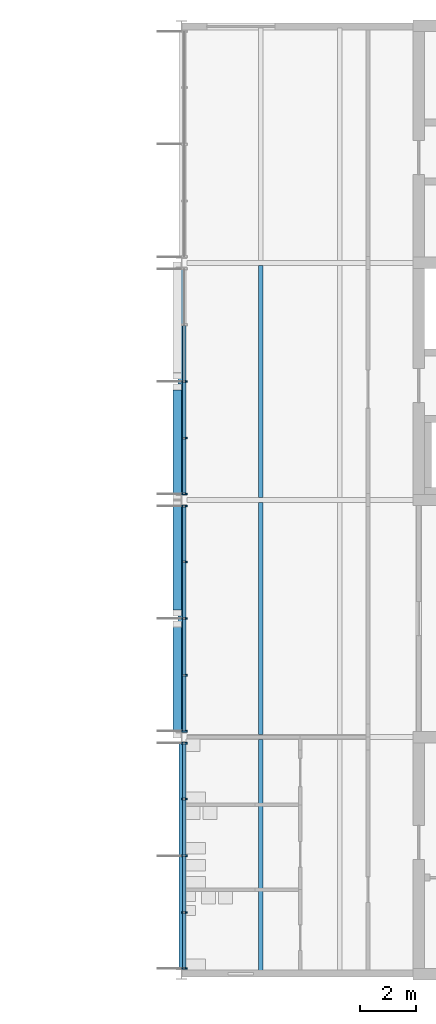
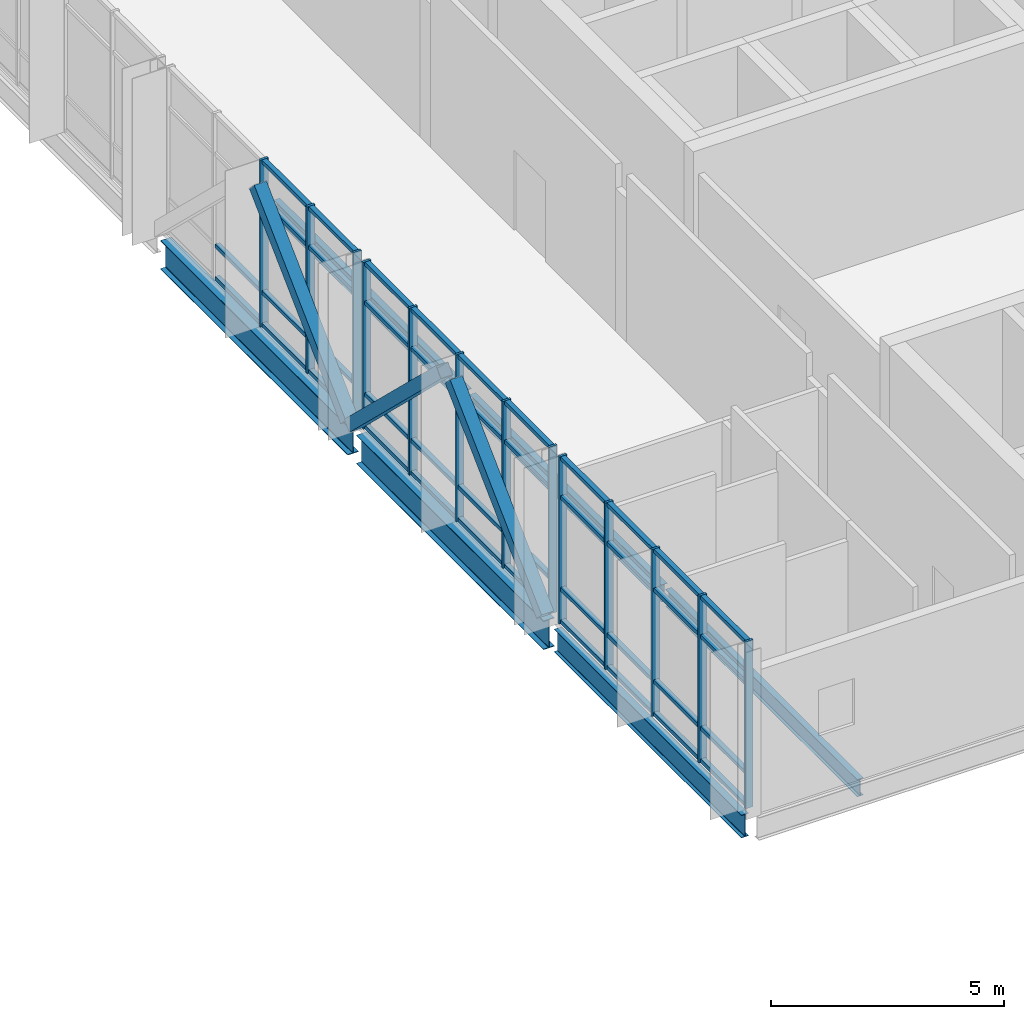
# One storey, part 3 of 14: 58 members, 6 beams, 3 elements without a shape of their own.
"""IFC4 building model written with IfcOpenShell, lengths in metres."""

from ifc_helpers import new_model, si_unit, direction, frame, origin, origin_2d, place, context, subcontext, project, spatial, rectangle, hollow_rectangle, i_section, extrude, material, material_profile, profile_set, type_object, element, aggregate, save


model = new_model("IFC4")

# Units and contexts
model_context = context("Model", 3, precision=1e-05, world=origin(), true_north=direction((0.0, 1.0)))
body_context = subcontext(model_context, "Body", "Model", "MODEL_VIEW")
ifc_project = project(units=[si_unit("LENGTHUNIT", "METRE"), si_unit("AREAUNIT", "SQUARE_METRE"), si_unit("VOLUMEUNIT", "CUBIC_METRE"), si_unit("PLANEANGLEUNIT", "RADIAN"), si_unit("MASSUNIT", "GRAM", prefix="KILO")], contexts=[model_context])

# Site, building, storey
site_placement = place(None, origin())
site = spatial("IfcSite", under=ifc_project, at=site_placement, CompositionType="ELEMENT")
building_placement = place(site_placement, origin())
building = spatial("IfcBuilding", under=site, at=building_placement, Name="Hlaing Beacon Police Headquarters", CompositionType="ELEMENT")
storey_placement = place(building_placement, frame((0.0, 0.0, 27.89990234375)))
storey = spatial("IfcBuildingStorey", under=building, at=storey_placement, Name="L06", CompositionType="ELEMENT", Elevation=27.89990234375)

# Members
ifc_material_1 = material(Name="Steel ASTM A500 Grade C", Category="steel")
ifc_material_profile_1 = material_profile(ifc_material_1, hollow_rectangle(XDim=0.3046875, YDim=0.3046875, WallThickness=0.009521484375, at=origin_2d()), Name="HSS12x12x3/8")
ifc_profile_set_1 = profile_set([ifc_material_profile_1], Name="Steel ASTM A500 Grade C")
member_type_1 = type_object("IfcMemberType", Name="Chevron brace HSS12x12x3/8", PredefinedType="BRACE", material=ifc_profile_set_1)
for number, where, z_axis, x_axis, name in (
    (1, (100.6435546875, 42.077880859375, 0.110107421875), (0.0, 0.720208206654, 0.693757983067), (-1.0, 0.0, 0.0), "STR-BR-L06-N6a"),
    (2, (100.6435546875, 50.322021484375, 0.110107421875), (0.0, -0.720208206654, 0.693757983067), (1.0, 0.0, 0.0), "STR-BR-L06-N6b"),
):
    element("IfcMember", number, at=place(storey_placement, frame(where, z_axis=z_axis, x_axis=x_axis)), inside=storey, type_object=member_type_1, Name=name, PredefinedType="BRACE", context=body_context, shape_type="SweptSolid", body=[
        extrude(hollow_rectangle(XDim=0.3046875, YDim=0.3046875, WallThickness=0.009521484375, at=origin_2d()), origin(), (0.0, 0.0, 1.0), 5.44580078125),
    ])
member_1_placement = place(storey_placement, frame((100.6435546875, 50.47802734375, 0.110107421875), z_axis=(0.0, 0.720186628496, 0.693780383216), x_axis=(-1.0, 0.0, 0.0)))
element("IfcMember", 3, at=member_1_placement, inside=storey, type_object=member_type_1, Name="STR-BR-L06-N7a", PredefinedType="BRACE", context=body_context, shape_type="SweptSolid", body=[
    extrude(hollow_rectangle(XDim=0.3046875, YDim=0.3046875, WallThickness=0.009521484375, at=origin_2d()), origin(), (0.0, 0.0, 1.0), 5.445556640625),
])

# Beams
ifc_material_2 = material(Name="Steel ASTM A992 Grade 50", Category="steel")
ifc_material_profile_2 = material_profile(ifc_material_2, i_section(OverallWidth=0.177978515625, OverallDepth=0.599365234375, WebThickness=0.010009765625, FlangeThickness=0.012939453125, FilletRadius=0.012939453125, at=origin_2d()), Name="W24x55")
ifc_profile_set_2 = profile_set([ifc_material_profile_2], Name="Steel ASTM A992 Grade 50")
beam_type_1 = type_object("IfcBeamType", Name="Girder W24x55", PredefinedType="BEAM", material=ifc_profile_set_2)
beam_1_placement = place(storey_placement, frame((100.800048828125, 33.781982421875, -0.4296875), z_axis=(0.0, 1.0, 0.0), x_axis=(-1.0, 0.0, 0.0)))
element("IfcBeam", 4, at=beam_1_placement, inside=storey, type_object=beam_type_1, Name="STR-BM-L06-GY-N5-N6", PredefinedType="BEAM", context=body_context, shape_type="SweptSolid", body=[
    extrude(i_section(OverallWidth=0.177978515625, OverallDepth=0.599365234375, WebThickness=0.010009765625, FlangeThickness=0.012939453125, FilletRadius=0.012939453125, at=origin_2d()), origin(), (0.0, 0.0, 1.0), 8.031005859375),
])
ifc_material_3 = material(Name="Steel ASTM A992 Grade 50", Category="steel")
ifc_material_profile_3 = material_profile(ifc_material_3, i_section(OverallWidth=0.2666015625, OverallDepth=0.75439453125, WebThickness=0.01318359375, FlangeThickness=0.01708984375, FilletRadius=0.0166015625, at=origin_2d()), Name="W30x99")
ifc_profile_set_3 = profile_set([ifc_material_profile_3], Name="Steel ASTM A992 Grade 50")
beam_type_2 = type_object("IfcBeamType", Name="Girder W30x99", PredefinedType="BEAM", material=ifc_profile_set_3)
beam_2_placement = place(storey_placement, frame((100.800048828125, 42.18701171875, -0.507080078125), z_axis=(0.0, 1.0, 0.0), x_axis=(-1.0, 0.0, 0.0)))
element("IfcBeam", 5, at=beam_2_placement, inside=storey, type_object=beam_type_2, Name="STR-BM-L06-GY-N6-N7", PredefinedType="BEAM", context=body_context, shape_type="SweptSolid", body=[
    extrude(i_section(OverallWidth=0.2666015625, OverallDepth=0.75439453125, WebThickness=0.01318359375, FlangeThickness=0.01708984375, FilletRadius=0.0166015625, at=origin_2d()), origin(), (0.0, 0.0, 1.0), 8.02587890625),
])
beam_3_placement = place(storey_placement, frame((100.800048828125, 50.5869140625, -0.507080078125), z_axis=(0.0, 1.0, 0.0), x_axis=(-1.0, 0.0, 0.0)))
element("IfcBeam", 6, at=beam_3_placement, inside=storey, type_object=beam_type_2, Name="STR-BM-L06-GY-N7-N8", PredefinedType="BEAM", context=body_context, shape_type="SweptSolid", body=[
    extrude(i_section(OverallWidth=0.2666015625, OverallDepth=0.75439453125, WebThickness=0.01318359375, FlangeThickness=0.01708984375, FilletRadius=0.0166015625, at=origin_2d()), origin(), (0.0, 0.0, 1.0), 8.026123046875),
])

# Curtain wall, members
ifc_material_4 = material(Name="Aluminium frame with solar control glazing", Category="aluminium")
curtain_wall_type = type_object("IfcCurtainWallType", Name="Unitised curtain wall 8.04 x 4.37", PredefinedType="NOTDEFINED", material=ifc_material_4)
curtain_wall_1_placement = place(storey_placement, origin())
curtain_wall_1 = element("IfcCurtainWall", 7, at=curtain_wall_1_placement, inside=storey, type_object=curtain_wall_type, Name="ENV-CW-L06-W006", PredefinedType="NOTDEFINED")
ifc_material_5 = material(Name="Aluminium", Category="aluminium")
ifc_material_profile_4 = material_profile(ifc_material_5, rectangle(XDim=0.199951171875, YDim=0.06005859375, at=origin_2d()), Name="Mullion 60x200")
ifc_profile_set_4 = profile_set([ifc_material_profile_4], Name="Aluminium")
member_type_2 = type_object("IfcMemberType", Name="Mullion 60x200", PredefinedType="MULLION", material=ifc_profile_set_4)
member_2_placement = place(storey_placement, frame((100.89990234375, 54.60009765625, 0.0), z_axis=(0.0, 0.0, 1.0), x_axis=(1.0, 0.0, 0.0)))
member_2 = element("IfcMember", 8, at=member_2_placement, type_object=member_type_2, Name="CW-L06-W006 mullion 3", PredefinedType="MULLION", context=body_context, shape_type="SweptSolid", body=[
    extrude(rectangle(XDim=0.199951171875, YDim=0.06005859375, at=origin_2d()), origin(), (0.0, 0.0, 1.0), 4.3701171875),
])
member_3_placement = place(storey_placement, frame((100.89990234375, 52.5908203125, 0.0), z_axis=(0.0, 0.0, 1.0), x_axis=(1.0, 0.0, 0.0)))
member_3 = element("IfcMember", 9, at=member_3_placement, type_object=member_type_2, Name="CW-L06-W006 mullion 4", PredefinedType="MULLION", context=body_context, shape_type="SweptSolid", body=[
    extrude(rectangle(XDim=0.199951171875, YDim=0.06005859375, at=origin_2d()), origin(), (0.0, 0.0, 1.0), 4.3701171875),
])
member_4_placement = place(storey_placement, frame((100.89990234375, 50.611572265625, 0.0), z_axis=(0.0, 0.0, 1.0), x_axis=(1.0, 0.0, 0.0)))
member_4 = element("IfcMember", 10, at=member_4_placement, type_object=member_type_2, Name="CW-L06-W006 mullion 5", PredefinedType="MULLION", context=body_context, shape_type="SweptSolid", body=[
    extrude(rectangle(XDim=0.199951171875, YDim=0.06005859375, at=origin_2d()), origin(), (0.0, 0.0, 1.0), 4.3701171875),
])

curtain_wall_2_placement = place(storey_placement, origin())
curtain_wall_2 = element("IfcCurtainWall", 11, at=curtain_wall_2_placement, inside=storey, type_object=curtain_wall_type, Name="ENV-CW-L06-W007", PredefinedType="NOTDEFINED")
member_5_placement = place(storey_placement, frame((100.89990234375, 50.1884765625, 0.0), z_axis=(0.0, 0.0, 1.0), x_axis=(1.0, 0.0, 0.0)))
member_5 = element("IfcMember", 12, at=member_5_placement, type_object=member_type_2, Name="CW-L06-W007 mullion 1", PredefinedType="MULLION", context=body_context, shape_type="SweptSolid", body=[
    extrude(rectangle(XDim=0.199951171875, YDim=0.06005859375, at=origin_2d()), origin(), (0.0, 0.0, 1.0), 4.3701171875),
])
member_6_placement = place(storey_placement, frame((100.89990234375, 48.209228515625, 0.0), z_axis=(0.0, 0.0, 1.0), x_axis=(1.0, 0.0, 0.0)))
member_6 = element("IfcMember", 13, at=member_6_placement, type_object=member_type_2, Name="CW-L06-W007 mullion 2", PredefinedType="MULLION", context=body_context, shape_type="SweptSolid", body=[
    extrude(rectangle(XDim=0.199951171875, YDim=0.06005859375, at=origin_2d()), origin(), (0.0, 0.0, 1.0), 4.3701171875),
])
member_7_placement = place(storey_placement, frame((100.89990234375, 46.199951171875, 0.0), z_axis=(0.0, 0.0, 1.0), x_axis=(1.0, 0.0, 0.0)))
member_7 = element("IfcMember", 14, at=member_7_placement, type_object=member_type_2, Name="CW-L06-W007 mullion 3", PredefinedType="MULLION", context=body_context, shape_type="SweptSolid", body=[
    extrude(rectangle(XDim=0.199951171875, YDim=0.06005859375, at=origin_2d()), origin(), (0.0, 0.0, 1.0), 4.3701171875),
])
member_8_placement = place(storey_placement, frame((100.89990234375, 44.19091796875, 0.0), z_axis=(0.0, 0.0, 1.0), x_axis=(1.0, 0.0, 0.0)))
member_8 = element("IfcMember", 15, at=member_8_placement, type_object=member_type_2, Name="CW-L06-W007 mullion 4", PredefinedType="MULLION", context=body_context, shape_type="SweptSolid", body=[
    extrude(rectangle(XDim=0.199951171875, YDim=0.06005859375, at=origin_2d()), origin(), (0.0, 0.0, 1.0), 4.3701171875),
])
member_9_placement = place(storey_placement, frame((100.89990234375, 42.211669921875, 0.0), z_axis=(0.0, 0.0, 1.0), x_axis=(1.0, 0.0, 0.0)))
member_9 = element("IfcMember", 16, at=member_9_placement, type_object=member_type_2, Name="CW-L06-W007 mullion 5", PredefinedType="MULLION", context=body_context, shape_type="SweptSolid", body=[
    extrude(rectangle(XDim=0.199951171875, YDim=0.06005859375, at=origin_2d()), origin(), (0.0, 0.0, 1.0), 4.3701171875),
])

curtain_wall_3_placement = place(storey_placement, origin())
curtain_wall_3 = element("IfcCurtainWall", 17, at=curtain_wall_3_placement, inside=storey, type_object=curtain_wall_type, Name="ENV-CW-L06-W008", PredefinedType="NOTDEFINED")
member_10_placement = place(storey_placement, frame((100.89990234375, 41.788330078125, 0.0), z_axis=(0.0, 0.0, 1.0), x_axis=(1.0, 0.0, 0.0)))
member_10 = element("IfcMember", 18, at=member_10_placement, type_object=member_type_2, Name="CW-L06-W008 mullion 1", PredefinedType="MULLION", context=body_context, shape_type="SweptSolid", body=[
    extrude(rectangle(XDim=0.199951171875, YDim=0.06005859375, at=origin_2d()), origin(), (0.0, 0.0, 1.0), 4.3701171875),
])
member_11_placement = place(storey_placement, frame((100.89990234375, 39.808349609375, 0.0), z_axis=(0.0, 0.0, 1.0), x_axis=(1.0, 0.0, 0.0)))
member_11 = element("IfcMember", 19, at=member_11_placement, type_object=member_type_2, Name="CW-L06-W008 mullion 2", PredefinedType="MULLION", context=body_context, shape_type="SweptSolid", body=[
    extrude(rectangle(XDim=0.199951171875, YDim=0.06005859375, at=origin_2d()), origin(), (0.0, 0.0, 1.0), 4.3701171875),
])
member_12_placement = place(storey_placement, frame((100.89990234375, 37.798095703125, 0.0), z_axis=(0.0, 0.0, 1.0), x_axis=(1.0, 0.0, 0.0)))
member_12 = element("IfcMember", 20, at=member_12_placement, type_object=member_type_2, Name="CW-L06-W008 mullion 3", PredefinedType="MULLION", context=body_context, shape_type="SweptSolid", body=[
    extrude(rectangle(XDim=0.199951171875, YDim=0.06005859375, at=origin_2d()), origin(), (0.0, 0.0, 1.0), 4.3701171875),
])
member_13_placement = place(storey_placement, frame((100.89990234375, 35.787841796875, 0.0), z_axis=(0.0, 0.0, 1.0), x_axis=(1.0, 0.0, 0.0)))
member_13 = element("IfcMember", 21, at=member_13_placement, type_object=member_type_2, Name="CW-L06-W008 mullion 4", PredefinedType="MULLION", context=body_context, shape_type="SweptSolid", body=[
    extrude(rectangle(XDim=0.199951171875, YDim=0.06005859375, at=origin_2d()), origin(), (0.0, 0.0, 1.0), 4.3701171875),
])
member_14_placement = place(storey_placement, frame((100.89990234375, 33.807861328125, 0.0), z_axis=(0.0, 0.0, 1.0), x_axis=(1.0, 0.0, 0.0)))
member_14 = element("IfcMember", 22, at=member_14_placement, type_object=member_type_2, Name="CW-L06-W008 mullion 5", PredefinedType="MULLION", context=body_context, shape_type="SweptSolid", body=[
    extrude(rectangle(XDim=0.199951171875, YDim=0.06005859375, at=origin_2d()), origin(), (0.0, 0.0, 1.0), 4.3701171875),
])

# Beams
ifc_material_6 = material(Name="Steel ASTM A992 Grade 50", Category="steel")
ifc_material_profile_5 = material_profile(ifc_material_6, i_section(OverallWidth=0.15234375, OverallDepth=0.449462890625, WebThickness=0.007568359375, FlangeThickness=0.0107421875, FilletRadius=0.01025390625, at=origin_2d()), Name="W18x35")
ifc_profile_set_5 = profile_set([ifc_material_profile_5], Name="Steel ASTM A992 Grade 50")
beam_type_3 = type_object("IfcBeamType", Name="Secondary beam W18x35", PredefinedType="BEAM", material=ifc_profile_set_5)
for number, where, z_axis, x_axis, name in (
    (23, (103.60009765625, 33.68896484375, -0.354736328125), (0.0, 1.0, 0.0), (-1.0, 0.0, 0.0), "STR-BM-L06-SB-N5-y1"),
    (24, (103.60009765625, 42.089111328125, -0.354736328125), (0.0, 1.0, 0.0), (-1.0, 0.0, 0.0), "STR-BM-L06-SB-N6-y1"),
    (25, (103.60009765625, 50.489013671875, -0.354736328125), (0.0, 1.0, 0.0), (-1.0, 0.0, 0.0), "STR-BM-L06-SB-N7-y1"),
):
    element("IfcBeam", number, at=place(storey_placement, frame(where, z_axis=z_axis, x_axis=x_axis)), inside=storey, type_object=beam_type_3, Name=name, PredefinedType="BEAM", context=body_context, shape_type="SweptSolid", body=[
        extrude(i_section(OverallWidth=0.15234375, OverallDepth=0.449462890625, WebThickness=0.007568359375, FlangeThickness=0.0107421875, FilletRadius=0.01025390625, at=origin_2d()), origin(), (0.0, 0.0, 1.0), 8.221923828125),
    ])

# Member
ifc_material_7 = material(Name="Aluminium", Category="aluminium")
ifc_material_profile_6 = material_profile(ifc_material_7, rectangle(XDim=0.1201171875, YDim=0.10009765625, at=origin_2d()), Name="Transom 120x100")
ifc_profile_set_6 = profile_set([ifc_material_profile_6], Name="Aluminium")
member_type_3 = type_object("IfcMemberType", Name="Transom 120x100", PredefinedType="USERDEFINED", material=ifc_profile_set_6)
member_15_placement = place(storey_placement, frame((100.89990234375, 56.5791015625, 0.050048828125), z_axis=(0.0, -1.0, 0.0), x_axis=(1.0, 0.0, 0.0)))
member_15 = element("IfcMember", 26, at=member_15_placement, type_object=member_type_3, Name="CW-L06-W006 transom 2.1", ObjectType="TRANSOM", PredefinedType="USERDEFINED", context=body_context, shape_type="SweptSolid", body=[
    extrude(rectangle(XDim=0.1201171875, YDim=0.10009765625, at=origin_2d()), origin(), (0.0, 0.0, 1.0), 1.94921875),
])

member_16_placement = place(storey_placement, frame((100.89990234375, 56.5791015625, 0.900146484375), z_axis=(0.0, -1.0, 0.0), x_axis=(1.0, 0.0, 0.0)))
member_16 = element("IfcMember", 27, at=member_16_placement, type_object=member_type_3, Name="CW-L06-W006 transom 2.2", ObjectType="TRANSOM", PredefinedType="USERDEFINED", context=body_context, shape_type="SweptSolid", body=[
    extrude(rectangle(XDim=0.1201171875, YDim=0.10009765625, at=origin_2d()), origin(), (0.0, 0.0, 1.0), 1.94921875),
])

member_17_placement = place(storey_placement, frame((100.89990234375, 54.570068359375, 0.050048828125), z_axis=(0.0, -1.0, 0.0), x_axis=(1.0, 0.0, 0.0)))
member_17 = element("IfcMember", 28, at=member_17_placement, type_object=member_type_3, Name="CW-L06-W006 transom 3.1", ObjectType="TRANSOM", PredefinedType="USERDEFINED", context=body_context, shape_type="SweptSolid", body=[
    extrude(rectangle(XDim=0.1201171875, YDim=0.10009765625, at=origin_2d()), origin(), (0.0, 0.0, 1.0), 1.94921875),
])

member_18_placement = place(storey_placement, frame((100.89990234375, 54.570068359375, 0.900146484375), z_axis=(0.0, -1.0, 0.0), x_axis=(1.0, 0.0, 0.0)))
member_18 = element("IfcMember", 29, at=member_18_placement, type_object=member_type_3, Name="CW-L06-W006 transom 3.2", ObjectType="TRANSOM", PredefinedType="USERDEFINED", context=body_context, shape_type="SweptSolid", body=[
    extrude(rectangle(XDim=0.1201171875, YDim=0.10009765625, at=origin_2d()), origin(), (0.0, 0.0, 1.0), 1.94921875),
])

member_19_placement = place(storey_placement, frame((100.89990234375, 54.570068359375, 3.300048828125), z_axis=(0.0, -1.0, 0.0), x_axis=(1.0, 0.0, 0.0)))
member_19 = element("IfcMember", 30, at=member_19_placement, type_object=member_type_3, Name="CW-L06-W006 transom 3.3", ObjectType="TRANSOM", PredefinedType="USERDEFINED", context=body_context, shape_type="SweptSolid", body=[
    extrude(rectangle(XDim=0.1201171875, YDim=0.10009765625, at=origin_2d()), origin(), (0.0, 0.0, 1.0), 1.94921875),
])

member_20_placement = place(storey_placement, frame((100.89990234375, 54.570068359375, 4.320068359375), z_axis=(0.0, -1.0, 0.0), x_axis=(1.0, 0.0, 0.0)))
member_20 = element("IfcMember", 31, at=member_20_placement, type_object=member_type_3, Name="CW-L06-W006 transom 3.4", ObjectType="TRANSOM", PredefinedType="USERDEFINED", context=body_context, shape_type="SweptSolid", body=[
    extrude(rectangle(XDim=0.1201171875, YDim=0.10009765625, at=origin_2d()), origin(), (0.0, 0.0, 1.0), 1.94921875),
])

member_21_placement = place(storey_placement, frame((100.89990234375, 52.560791015625, 0.050048828125), z_axis=(0.0, -1.0, 0.0), x_axis=(1.0, 0.0, 0.0)))
member_21 = element("IfcMember", 32, at=member_21_placement, type_object=member_type_3, Name="CW-L06-W006 transom 4.1", ObjectType="TRANSOM", PredefinedType="USERDEFINED", context=body_context, shape_type="SweptSolid", body=[
    extrude(rectangle(XDim=0.1201171875, YDim=0.10009765625, at=origin_2d()), origin(), (0.0, 0.0, 1.0), 1.919189453125),
])

member_22_placement = place(storey_placement, frame((100.89990234375, 52.560791015625, 0.900146484375), z_axis=(0.0, -1.0, 0.0), x_axis=(1.0, 0.0, 0.0)))
member_22 = element("IfcMember", 33, at=member_22_placement, type_object=member_type_3, Name="CW-L06-W006 transom 4.2", ObjectType="TRANSOM", PredefinedType="USERDEFINED", context=body_context, shape_type="SweptSolid", body=[
    extrude(rectangle(XDim=0.1201171875, YDim=0.10009765625, at=origin_2d()), origin(), (0.0, 0.0, 1.0), 1.919189453125),
])

member_23_placement = place(storey_placement, frame((100.89990234375, 52.560791015625, 3.300048828125), z_axis=(0.0, -1.0, 0.0), x_axis=(1.0, 0.0, 0.0)))
member_23 = element("IfcMember", 34, at=member_23_placement, type_object=member_type_3, Name="CW-L06-W006 transom 4.3", ObjectType="TRANSOM", PredefinedType="USERDEFINED", context=body_context, shape_type="SweptSolid", body=[
    extrude(rectangle(XDim=0.1201171875, YDim=0.10009765625, at=origin_2d()), origin(), (0.0, 0.0, 1.0), 1.919189453125),
])

member_24_placement = place(storey_placement, frame((100.89990234375, 52.560791015625, 4.320068359375), z_axis=(0.0, -1.0, 0.0), x_axis=(1.0, 0.0, 0.0)))
member_24 = element("IfcMember", 35, at=member_24_placement, type_object=member_type_3, Name="CW-L06-W006 transom 4.4", ObjectType="TRANSOM", PredefinedType="USERDEFINED", context=body_context, shape_type="SweptSolid", body=[
    extrude(rectangle(XDim=0.1201171875, YDim=0.10009765625, at=origin_2d()), origin(), (0.0, 0.0, 1.0), 1.919189453125),
])

aggregate(curtain_wall_1, [member_2, member_3, member_4, member_15, member_16, member_17, member_18, member_19, member_20, member_21, member_22, member_23, member_24])

member_25_placement = place(storey_placement, frame((100.89990234375, 50.158447265625, 0.050048828125), z_axis=(0.0, -1.0, 0.0), x_axis=(1.0, 0.0, 0.0)))
member_25 = element("IfcMember", 36, at=member_25_placement, type_object=member_type_3, Name="CW-L06-W007 transom 1.1", ObjectType="TRANSOM", PredefinedType="USERDEFINED", context=body_context, shape_type="SweptSolid", body=[
    extrude(rectangle(XDim=0.1201171875, YDim=0.10009765625, at=origin_2d()), origin(), (0.0, 0.0, 1.0), 1.919189453125),
])

member_26_placement = place(storey_placement, frame((100.89990234375, 50.158447265625, 0.900146484375), z_axis=(0.0, -1.0, 0.0), x_axis=(1.0, 0.0, 0.0)))
member_26 = element("IfcMember", 37, at=member_26_placement, type_object=member_type_3, Name="CW-L06-W007 transom 1.2", ObjectType="TRANSOM", PredefinedType="USERDEFINED", context=body_context, shape_type="SweptSolid", body=[
    extrude(rectangle(XDim=0.1201171875, YDim=0.10009765625, at=origin_2d()), origin(), (0.0, 0.0, 1.0), 1.919189453125),
])

member_27_placement = place(storey_placement, frame((100.89990234375, 50.158447265625, 3.300048828125), z_axis=(0.0, -1.0, 0.0), x_axis=(1.0, 0.0, 0.0)))
member_27 = element("IfcMember", 38, at=member_27_placement, type_object=member_type_3, Name="CW-L06-W007 transom 1.3", ObjectType="TRANSOM", PredefinedType="USERDEFINED", context=body_context, shape_type="SweptSolid", body=[
    extrude(rectangle(XDim=0.1201171875, YDim=0.10009765625, at=origin_2d()), origin(), (0.0, 0.0, 1.0), 1.919189453125),
])

member_28_placement = place(storey_placement, frame((100.89990234375, 50.158447265625, 4.320068359375), z_axis=(0.0, -1.0, 0.0), x_axis=(1.0, 0.0, 0.0)))
member_28 = element("IfcMember", 39, at=member_28_placement, type_object=member_type_3, Name="CW-L06-W007 transom 1.4", ObjectType="TRANSOM", PredefinedType="USERDEFINED", context=body_context, shape_type="SweptSolid", body=[
    extrude(rectangle(XDim=0.1201171875, YDim=0.10009765625, at=origin_2d()), origin(), (0.0, 0.0, 1.0), 1.919189453125),
])

member_29_placement = place(storey_placement, frame((100.89990234375, 48.17919921875, 0.050048828125), z_axis=(0.0, -1.0, 0.0), x_axis=(1.0, 0.0, 0.0)))
member_29 = element("IfcMember", 40, at=member_29_placement, type_object=member_type_3, Name="CW-L06-W007 transom 2.1", ObjectType="TRANSOM", PredefinedType="USERDEFINED", context=body_context, shape_type="SweptSolid", body=[
    extrude(rectangle(XDim=0.1201171875, YDim=0.10009765625, at=origin_2d()), origin(), (0.0, 0.0, 1.0), 1.94921875),
])

member_30_placement = place(storey_placement, frame((100.89990234375, 48.17919921875, 0.900146484375), z_axis=(0.0, -1.0, 0.0), x_axis=(1.0, 0.0, 0.0)))
member_30 = element("IfcMember", 41, at=member_30_placement, type_object=member_type_3, Name="CW-L06-W007 transom 2.2", ObjectType="TRANSOM", PredefinedType="USERDEFINED", context=body_context, shape_type="SweptSolid", body=[
    extrude(rectangle(XDim=0.1201171875, YDim=0.10009765625, at=origin_2d()), origin(), (0.0, 0.0, 1.0), 1.94921875),
])

member_31_placement = place(storey_placement, frame((100.89990234375, 48.17919921875, 3.300048828125), z_axis=(0.0, -1.0, 0.0), x_axis=(1.0, 0.0, 0.0)))
member_31 = element("IfcMember", 42, at=member_31_placement, type_object=member_type_3, Name="CW-L06-W007 transom 2.3", ObjectType="TRANSOM", PredefinedType="USERDEFINED", context=body_context, shape_type="SweptSolid", body=[
    extrude(rectangle(XDim=0.1201171875, YDim=0.10009765625, at=origin_2d()), origin(), (0.0, 0.0, 1.0), 1.94921875),
])

member_32_placement = place(storey_placement, frame((100.89990234375, 48.17919921875, 4.320068359375), z_axis=(0.0, -1.0, 0.0), x_axis=(1.0, 0.0, 0.0)))
member_32 = element("IfcMember", 43, at=member_32_placement, type_object=member_type_3, Name="CW-L06-W007 transom 2.4", ObjectType="TRANSOM", PredefinedType="USERDEFINED", context=body_context, shape_type="SweptSolid", body=[
    extrude(rectangle(XDim=0.1201171875, YDim=0.10009765625, at=origin_2d()), origin(), (0.0, 0.0, 1.0), 1.94921875),
])

member_33_placement = place(storey_placement, frame((100.89990234375, 46.169921875, 0.050048828125), z_axis=(0.0, -1.0, 0.0), x_axis=(1.0, 0.0, 0.0)))
member_33 = element("IfcMember", 44, at=member_33_placement, type_object=member_type_3, Name="CW-L06-W007 transom 3.1", ObjectType="TRANSOM", PredefinedType="USERDEFINED", context=body_context, shape_type="SweptSolid", body=[
    extrude(rectangle(XDim=0.1201171875, YDim=0.10009765625, at=origin_2d()), origin(), (0.0, 0.0, 1.0), 1.94921875),
])

member_34_placement = place(storey_placement, frame((100.89990234375, 46.169921875, 0.900146484375), z_axis=(0.0, -1.0, 0.0), x_axis=(1.0, 0.0, 0.0)))
member_34 = element("IfcMember", 45, at=member_34_placement, type_object=member_type_3, Name="CW-L06-W007 transom 3.2", ObjectType="TRANSOM", PredefinedType="USERDEFINED", context=body_context, shape_type="SweptSolid", body=[
    extrude(rectangle(XDim=0.1201171875, YDim=0.10009765625, at=origin_2d()), origin(), (0.0, 0.0, 1.0), 1.94921875),
])

member_35_placement = place(storey_placement, frame((100.89990234375, 46.169921875, 3.300048828125), z_axis=(0.0, -1.0, 0.0), x_axis=(1.0, 0.0, 0.0)))
member_35 = element("IfcMember", 46, at=member_35_placement, type_object=member_type_3, Name="CW-L06-W007 transom 3.3", ObjectType="TRANSOM", PredefinedType="USERDEFINED", context=body_context, shape_type="SweptSolid", body=[
    extrude(rectangle(XDim=0.1201171875, YDim=0.10009765625, at=origin_2d()), origin(), (0.0, 0.0, 1.0), 1.94921875),
])

member_36_placement = place(storey_placement, frame((100.89990234375, 46.169921875, 4.320068359375), z_axis=(0.0, -1.0, 0.0), x_axis=(1.0, 0.0, 0.0)))
member_36 = element("IfcMember", 47, at=member_36_placement, type_object=member_type_3, Name="CW-L06-W007 transom 3.4", ObjectType="TRANSOM", PredefinedType="USERDEFINED", context=body_context, shape_type="SweptSolid", body=[
    extrude(rectangle(XDim=0.1201171875, YDim=0.10009765625, at=origin_2d()), origin(), (0.0, 0.0, 1.0), 1.94921875),
])

member_37_placement = place(storey_placement, frame((100.89990234375, 44.160888671875, 0.050048828125), z_axis=(0.0, -1.0, 0.0), x_axis=(1.0, 0.0, 0.0)))
member_37 = element("IfcMember", 48, at=member_37_placement, type_object=member_type_3, Name="CW-L06-W007 transom 4.1", ObjectType="TRANSOM", PredefinedType="USERDEFINED", context=body_context, shape_type="SweptSolid", body=[
    extrude(rectangle(XDim=0.1201171875, YDim=0.10009765625, at=origin_2d()), origin(), (0.0, 0.0, 1.0), 1.919189453125),
])

member_38_placement = place(storey_placement, frame((100.89990234375, 44.160888671875, 0.900146484375), z_axis=(0.0, -1.0, 0.0), x_axis=(1.0, 0.0, 0.0)))
member_38 = element("IfcMember", 49, at=member_38_placement, type_object=member_type_3, Name="CW-L06-W007 transom 4.2", ObjectType="TRANSOM", PredefinedType="USERDEFINED", context=body_context, shape_type="SweptSolid", body=[
    extrude(rectangle(XDim=0.1201171875, YDim=0.10009765625, at=origin_2d()), origin(), (0.0, 0.0, 1.0), 1.919189453125),
])

member_39_placement = place(storey_placement, frame((100.89990234375, 44.160888671875, 3.300048828125), z_axis=(0.0, -1.0, 0.0), x_axis=(1.0, 0.0, 0.0)))
member_39 = element("IfcMember", 50, at=member_39_placement, type_object=member_type_3, Name="CW-L06-W007 transom 4.3", ObjectType="TRANSOM", PredefinedType="USERDEFINED", context=body_context, shape_type="SweptSolid", body=[
    extrude(rectangle(XDim=0.1201171875, YDim=0.10009765625, at=origin_2d()), origin(), (0.0, 0.0, 1.0), 1.919189453125),
])

member_40_placement = place(storey_placement, frame((100.89990234375, 44.160888671875, 4.320068359375), z_axis=(0.0, -1.0, 0.0), x_axis=(1.0, 0.0, 0.0)))
member_40 = element("IfcMember", 51, at=member_40_placement, type_object=member_type_3, Name="CW-L06-W007 transom 4.4", ObjectType="TRANSOM", PredefinedType="USERDEFINED", context=body_context, shape_type="SweptSolid", body=[
    extrude(rectangle(XDim=0.1201171875, YDim=0.10009765625, at=origin_2d()), origin(), (0.0, 0.0, 1.0), 1.919189453125),
])

aggregate(curtain_wall_2, [member_5, member_6, member_7, member_8, member_9, member_25, member_26, member_27, member_28, member_29, member_30, member_31, member_32, member_33, member_34, member_35, member_36, member_37, member_38, member_39, member_40])

member_41_placement = place(storey_placement, frame((100.89990234375, 41.75830078125, 0.050048828125), z_axis=(0.0, -1.0, 0.0), x_axis=(1.0, 0.0, 0.0)))
member_41 = element("IfcMember", 52, at=member_41_placement, type_object=member_type_3, Name="CW-L06-W008 transom 1.1", ObjectType="TRANSOM", PredefinedType="USERDEFINED", context=body_context, shape_type="SweptSolid", body=[
    extrude(rectangle(XDim=0.1201171875, YDim=0.10009765625, at=origin_2d()), origin(), (0.0, 0.0, 1.0), 1.920166015625),
])

member_42_placement = place(storey_placement, frame((100.89990234375, 41.75830078125, 0.900146484375), z_axis=(0.0, -1.0, 0.0), x_axis=(1.0, 0.0, 0.0)))
member_42 = element("IfcMember", 53, at=member_42_placement, type_object=member_type_3, Name="CW-L06-W008 transom 1.2", ObjectType="TRANSOM", PredefinedType="USERDEFINED", context=body_context, shape_type="SweptSolid", body=[
    extrude(rectangle(XDim=0.1201171875, YDim=0.10009765625, at=origin_2d()), origin(), (0.0, 0.0, 1.0), 1.920166015625),
])

member_43_placement = place(storey_placement, frame((100.89990234375, 41.75830078125, 3.300048828125), z_axis=(0.0, -1.0, 0.0), x_axis=(1.0, 0.0, 0.0)))
member_43 = element("IfcMember", 54, at=member_43_placement, type_object=member_type_3, Name="CW-L06-W008 transom 1.3", ObjectType="TRANSOM", PredefinedType="USERDEFINED", context=body_context, shape_type="SweptSolid", body=[
    extrude(rectangle(XDim=0.1201171875, YDim=0.10009765625, at=origin_2d()), origin(), (0.0, 0.0, 1.0), 1.920166015625),
])

member_44_placement = place(storey_placement, frame((100.89990234375, 41.75830078125, 4.320068359375), z_axis=(0.0, -1.0, 0.0), x_axis=(1.0, 0.0, 0.0)))
member_44 = element("IfcMember", 55, at=member_44_placement, type_object=member_type_3, Name="CW-L06-W008 transom 1.4", ObjectType="TRANSOM", PredefinedType="USERDEFINED", context=body_context, shape_type="SweptSolid", body=[
    extrude(rectangle(XDim=0.1201171875, YDim=0.10009765625, at=origin_2d()), origin(), (0.0, 0.0, 1.0), 1.920166015625),
])

member_45_placement = place(storey_placement, frame((100.89990234375, 39.7783203125, 0.050048828125), z_axis=(0.0, -1.0, 0.0), x_axis=(1.0, 0.0, 0.0)))
member_45 = element("IfcMember", 56, at=member_45_placement, type_object=member_type_3, Name="CW-L06-W008 transom 2.1", ObjectType="TRANSOM", PredefinedType="USERDEFINED", context=body_context, shape_type="SweptSolid", body=[
    extrude(rectangle(XDim=0.1201171875, YDim=0.10009765625, at=origin_2d()), origin(), (0.0, 0.0, 1.0), 1.9501953125),
])

member_46_placement = place(storey_placement, frame((100.89990234375, 39.7783203125, 0.900146484375), z_axis=(0.0, -1.0, 0.0), x_axis=(1.0, 0.0, 0.0)))
member_46 = element("IfcMember", 57, at=member_46_placement, type_object=member_type_3, Name="CW-L06-W008 transom 2.2", ObjectType="TRANSOM", PredefinedType="USERDEFINED", context=body_context, shape_type="SweptSolid", body=[
    extrude(rectangle(XDim=0.1201171875, YDim=0.10009765625, at=origin_2d()), origin(), (0.0, 0.0, 1.0), 1.9501953125),
])

member_47_placement = place(storey_placement, frame((100.89990234375, 39.7783203125, 3.300048828125), z_axis=(0.0, -1.0, 0.0), x_axis=(1.0, 0.0, 0.0)))
member_47 = element("IfcMember", 58, at=member_47_placement, type_object=member_type_3, Name="CW-L06-W008 transom 2.3", ObjectType="TRANSOM", PredefinedType="USERDEFINED", context=body_context, shape_type="SweptSolid", body=[
    extrude(rectangle(XDim=0.1201171875, YDim=0.10009765625, at=origin_2d()), origin(), (0.0, 0.0, 1.0), 1.9501953125),
])

member_48_placement = place(storey_placement, frame((100.89990234375, 39.7783203125, 4.320068359375), z_axis=(0.0, -1.0, 0.0), x_axis=(1.0, 0.0, 0.0)))
member_48 = element("IfcMember", 59, at=member_48_placement, type_object=member_type_3, Name="CW-L06-W008 transom 2.4", ObjectType="TRANSOM", PredefinedType="USERDEFINED", context=body_context, shape_type="SweptSolid", body=[
    extrude(rectangle(XDim=0.1201171875, YDim=0.10009765625, at=origin_2d()), origin(), (0.0, 0.0, 1.0), 1.9501953125),
])

member_49_placement = place(storey_placement, frame((100.89990234375, 37.76806640625, 0.050048828125), z_axis=(0.0, -1.0, 0.0), x_axis=(1.0, 0.0, 0.0)))
member_49 = element("IfcMember", 60, at=member_49_placement, type_object=member_type_3, Name="CW-L06-W008 transom 3.1", ObjectType="TRANSOM", PredefinedType="USERDEFINED", context=body_context, shape_type="SweptSolid", body=[
    extrude(rectangle(XDim=0.1201171875, YDim=0.10009765625, at=origin_2d()), origin(), (0.0, 0.0, 1.0), 1.9501953125),
])

member_50_placement = place(storey_placement, frame((100.89990234375, 37.76806640625, 0.900146484375), z_axis=(0.0, -1.0, 0.0), x_axis=(1.0, 0.0, 0.0)))
member_50 = element("IfcMember", 61, at=member_50_placement, type_object=member_type_3, Name="CW-L06-W008 transom 3.2", ObjectType="TRANSOM", PredefinedType="USERDEFINED", context=body_context, shape_type="SweptSolid", body=[
    extrude(rectangle(XDim=0.1201171875, YDim=0.10009765625, at=origin_2d()), origin(), (0.0, 0.0, 1.0), 1.9501953125),
])

member_51_placement = place(storey_placement, frame((100.89990234375, 37.76806640625, 3.300048828125), z_axis=(0.0, -1.0, 0.0), x_axis=(1.0, 0.0, 0.0)))
member_51 = element("IfcMember", 62, at=member_51_placement, type_object=member_type_3, Name="CW-L06-W008 transom 3.3", ObjectType="TRANSOM", PredefinedType="USERDEFINED", context=body_context, shape_type="SweptSolid", body=[
    extrude(rectangle(XDim=0.1201171875, YDim=0.10009765625, at=origin_2d()), origin(), (0.0, 0.0, 1.0), 1.9501953125),
])

member_52_placement = place(storey_placement, frame((100.89990234375, 37.76806640625, 4.320068359375), z_axis=(0.0, -1.0, 0.0), x_axis=(1.0, 0.0, 0.0)))
member_52 = element("IfcMember", 63, at=member_52_placement, type_object=member_type_3, Name="CW-L06-W008 transom 3.4", ObjectType="TRANSOM", PredefinedType="USERDEFINED", context=body_context, shape_type="SweptSolid", body=[
    extrude(rectangle(XDim=0.1201171875, YDim=0.10009765625, at=origin_2d()), origin(), (0.0, 0.0, 1.0), 1.9501953125),
])

member_53_placement = place(storey_placement, frame((100.89990234375, 35.758056640625, 0.050048828125), z_axis=(0.0, -1.0, 0.0), x_axis=(1.0, 0.0, 0.0)))
member_53 = element("IfcMember", 64, at=member_53_placement, type_object=member_type_3, Name="CW-L06-W008 transom 4.1", ObjectType="TRANSOM", PredefinedType="USERDEFINED", context=body_context, shape_type="SweptSolid", body=[
    extrude(rectangle(XDim=0.1201171875, YDim=0.10009765625, at=origin_2d()), origin(), (0.0, 0.0, 1.0), 1.920166015625),
])

member_54_placement = place(storey_placement, frame((100.89990234375, 35.758056640625, 0.900146484375), z_axis=(0.0, -1.0, 0.0), x_axis=(1.0, 0.0, 0.0)))
member_54 = element("IfcMember", 65, at=member_54_placement, type_object=member_type_3, Name="CW-L06-W008 transom 4.2", ObjectType="TRANSOM", PredefinedType="USERDEFINED", context=body_context, shape_type="SweptSolid", body=[
    extrude(rectangle(XDim=0.1201171875, YDim=0.10009765625, at=origin_2d()), origin(), (0.0, 0.0, 1.0), 1.920166015625),
])

member_55_placement = place(storey_placement, frame((100.89990234375, 35.758056640625, 3.300048828125), z_axis=(0.0, -1.0, 0.0), x_axis=(1.0, 0.0, 0.0)))
member_55 = element("IfcMember", 66, at=member_55_placement, type_object=member_type_3, Name="CW-L06-W008 transom 4.3", ObjectType="TRANSOM", PredefinedType="USERDEFINED", context=body_context, shape_type="SweptSolid", body=[
    extrude(rectangle(XDim=0.1201171875, YDim=0.10009765625, at=origin_2d()), origin(), (0.0, 0.0, 1.0), 1.920166015625),
])

member_56_placement = place(storey_placement, frame((100.89990234375, 35.758056640625, 4.320068359375), z_axis=(0.0, -1.0, 0.0), x_axis=(1.0, 0.0, 0.0)))
member_56 = element("IfcMember", 67, at=member_56_placement, type_object=member_type_3, Name="CW-L06-W008 transom 4.4", ObjectType="TRANSOM", PredefinedType="USERDEFINED", context=body_context, shape_type="SweptSolid", body=[
    extrude(rectangle(XDim=0.1201171875, YDim=0.10009765625, at=origin_2d()), origin(), (0.0, 0.0, 1.0), 1.920166015625),
])

aggregate(curtain_wall_3, [member_10, member_11, member_12, member_13, member_14, member_41, member_42, member_43, member_44, member_45, member_46, member_47, member_48, member_49, member_50, member_51, member_52, member_53, member_54, member_55, member_56])

save(model, "model.ifc")
